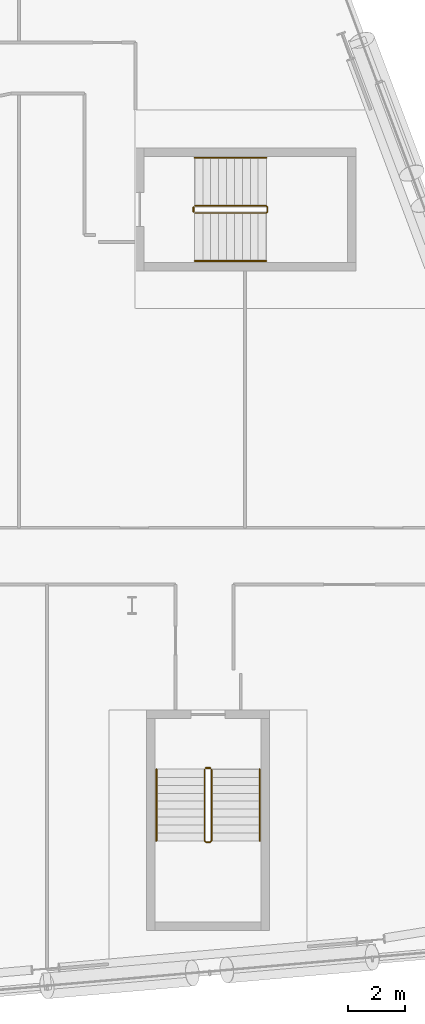
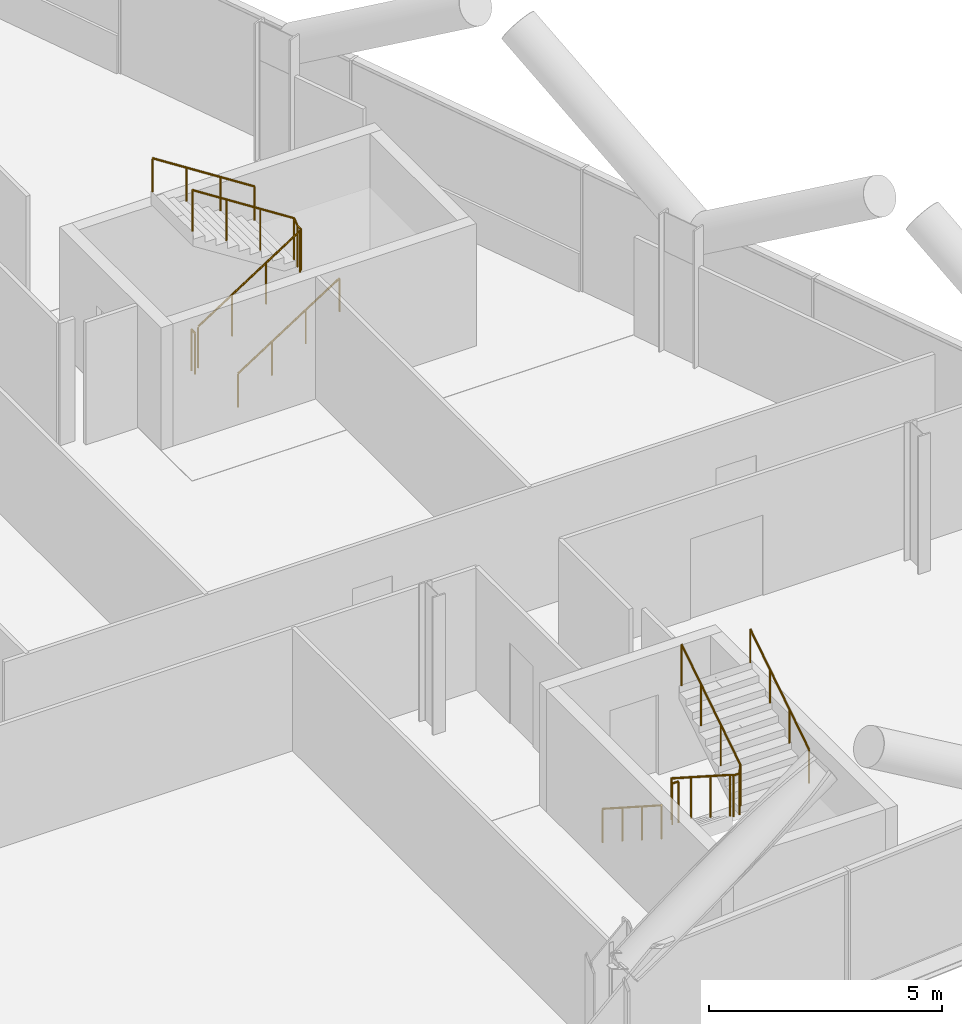
# One storey, part 27 of 27: 8 railings.
"""IFC4 building model written with IfcOpenShell, lengths in metres."""

import ifcopenshell
import ifcopenshell.guid

model = None  # the IFC model being written
_history = None  # IfcOwnerHistory: only IFC2X3 demands one
_inside = {}  # id of a spatial element -> (the spatial element, [elements in it])
_under = {}  # id of a project, library or spatial element -> (it, [spatial elements below it])
_declared = {}  # id of a project -> (the project, [libraries it declares])
_typed = {}  # id of a type object -> (the type object, [elements of that type])
_made_of = {}  # id of a material, layer set ... -> (it, [elements and type objects made of it])


def new_model(schema):
    """Start an empty IFC model of exactly this schema.

    Asked for "IFC4X3", IfcOpenShell would pick the latest addendum, in which some entities
    have other attributes; the version numbers below select the first issue.
    IFC2X3 requires an IfcOwnerHistory on every rooted entity: one is made here for all.
    """
    global model, _history
    if schema == "IFC4X3":
        model = ifcopenshell.file(schema_version=(4, 3, 0, 0))
    else:
        model = ifcopenshell.file(schema=schema)
    _inside.clear()
    _under.clear()
    _declared.clear()
    _typed.clear()
    _made_of.clear()
    _history = None
    if model.schema == "IFC2X3":
        org = make("IfcOrganization", Name="unknown")
        user = make(
            "IfcPersonAndOrganization",
            ThePerson=make("IfcPerson", FamilyName="unknown"),
            TheOrganization=org,
        )
        app = make(
            "IfcApplication",
            ApplicationDeveloper=org,
            Version="unknown",
            ApplicationFullName="unknown",
            ApplicationIdentifier="unknown",
        )
        _history = make(
            "IfcOwnerHistory",
            OwningUser=user,
            OwningApplication=app,
            ChangeAction="ADDED",
            CreationDate=0,
        )
    return model


def make(cls, **values):
    """One entity of the class cls with the attributes given. An attribute that is None is left unset."""
    return model.create_entity(
        cls, **{name: value for name, value in values.items() if value is not None}
    )


def rooted(cls, **values):
    """An entity with a GlobalId (a new one), such as an element, a storey or a relation."""
    return make(cls, GlobalId=ifcopenshell.guid.new(), OwnerHistory=_history, **values)


def si_unit(unit_type, name, prefix=None):
    """IfcSIUnit, for example si_unit("LENGTHUNIT", "METRE", prefix="MILLI")."""
    return make("IfcSIUnit", UnitType=unit_type, Prefix=prefix, Name=name)


def assignment(units):
    """IfcUnitAssignment: the units of a project."""
    return None if units is None else make("IfcUnitAssignment", Units=units)


def point(xyz):
    """IfcCartesianPoint."""
    return None if xyz is None else make("IfcCartesianPoint", Coordinates=xyz)


def direction(xyz):
    """IfcDirection."""
    return None if xyz is None else make("IfcDirection", DirectionRatios=xyz)


def frame(location, z_axis=None, x_axis=None):
    """IfcAxis2Placement3D, a coordinate frame: its origin and axes. An axis left out is left unset."""
    return make(
        "IfcAxis2Placement3D",
        Location=point(location),
        Axis=direction(z_axis),
        RefDirection=direction(x_axis),
    )


def frame_2d(location, x_axis=None):
    """IfcAxis2Placement2D, a coordinate frame in the plane: its origin and x axis."""
    return make(
        "IfcAxis2Placement2D", Location=point(location), RefDirection=direction(x_axis)
    )


def origin():
    """The frame at (0, 0, 0) with its axes left unset."""
    return frame((0.0, 0.0, 0.0))


def origin_2d():
    """The frame at (0, 0) in the plane with its x axis left unset."""
    return frame_2d((0.0, 0.0))


def place(relative_to, where):
    """IfcLocalPlacement: puts the frame where relative to a parent placement (None: the world)."""
    return make(
        "IfcLocalPlacement", PlacementRelTo=relative_to, RelativePlacement=where
    )


def context(
    kind, dimensions, precision=None, world=None, true_north=None, identifier=None
):
    """IfcGeometricRepresentationContext, for example the 3D "Model" context."""
    return make(
        "IfcGeometricRepresentationContext",
        ContextIdentifier=identifier,
        ContextType=kind,
        CoordinateSpaceDimension=dimensions,
        Precision=precision,
        WorldCoordinateSystem=world,
        TrueNorth=true_north,
    )


def subcontext(parent, identifier, kind, view, scale=None):
    """IfcGeometricRepresentationSubContext, for example "Body" below "Model"."""
    return make(
        "IfcGeometricRepresentationSubContext",
        ContextIdentifier=identifier,
        ContextType=kind,
        ParentContext=parent,
        TargetScale=scale,
        TargetView=view,
    )


def project(units=None, contexts=None):
    """IfcProject with its units and contexts."""
    return rooted(
        "IfcProject",
        Name="project",
        RepresentationContexts=contexts,
        UnitsInContext=assignment(units),
    )


def spatial(cls, under=None, at=None, **own):
    """A site, building, storey or space (cls), placed at a placement, below another one or the project."""
    s = rooted(cls, ObjectPlacement=at, **own)
    if under is not None:
        _under.setdefault(under.id(), (under, []))[1].append(s)
    return s


def profile(cls, at=None, kind="AREA", **sizes):
    """A parametric profile (cls). Its sizes go by their IFC names, for example OverallWidth=200.0."""
    return make(cls, ProfileType=kind, Position=at, **sizes)


def circle(**sizes):
    """IfcCircleProfileDef."""
    return profile("IfcCircleProfileDef", **sizes)


def extrude(swept, where, along, depth):
    """IfcExtrudedAreaSolid: the profile swept, set in the frame where, extruded along a direction by depth."""
    return make(
        "IfcExtrudedAreaSolid",
        SweptArea=swept,
        Position=where,
        ExtrudedDirection=direction(along),
        Depth=depth,
    )


def shape(context_of_items, identifier, shape_type, items):
    """IfcShapeRepresentation: the items that make up one representation, for example the "Body"."""
    return make(
        "IfcShapeRepresentation",
        ContextOfItems=context_of_items,
        RepresentationIdentifier=identifier,
        RepresentationType=shape_type,
        Items=items,
    )


def material(Name=None, Category=None):
    """IfcMaterial."""
    return make("IfcMaterial", Name=Name, Category=Category)


def made_of(thing, what):
    """Note that an element or type object is made of a material, layer set ...; save() writes the relation."""
    if what is not None:
        _made_of.setdefault(what.id(), (what, []))[1].append(thing)
    return thing


def type_object(cls, material=None, **own):
    """A type object (cls), such as IfcWallType, which elements share."""
    return made_of(rooted(cls, **own), material)


def element(
    cls,
    number,
    at=None,
    inside=None,
    cuts=None,
    type_object=None,
    material=None,
    context=None,
    identifier="Body",
    shape_type=None,
    held_by="IfcProductDefinitionShape",
    body=None,
    shapes=None,
    **own,
):
    """One element of the class cls, such as IfcWall. Its Tag is "e" and its number.

    at: its placement. inside: the storey or other place that contains it. cuts: it is an
    opening in that element (IfcRelVoidsElement). A single representation is given by context,
    identifier, shape_type and body (its items); several are given by shapes. held_by: the class
    of the entity that holds the representations. save() writes the other relations.
    """
    e = rooted(cls, Tag="e%d" % number, ObjectPlacement=at, **own)
    if body is not None:
        shapes = [shape(context, identifier, shape_type, body)]
    if shapes is not None:
        e.Representation = make(held_by, Representations=shapes)
    if inside is not None:
        _inside.setdefault(inside.id(), (inside, []))[1].append(e)
    if cuts is not None:
        rooted(
            "IfcRelVoidsElement", RelatingBuildingElement=cuts, RelatedOpeningElement=e
        )
    if type_object is not None:
        _typed.setdefault(type_object.id(), (type_object, []))[1].append(e)
    return made_of(e, material)


def aggregate(whole, parts):
    """IfcRelAggregates: a whole, such as a stair, and the parts it consists of."""
    return rooted("IfcRelAggregates", RelatingObject=whole, RelatedObjects=parts)


def save(model, path):
    """Write the relations noted so far, then the file.

    IfcRelAggregates (storeys below a building ...), IfcRelContainedInSpatialStructure (elements
    in a storey), IfcRelDefinesByType, IfcRelAssociatesMaterial and IfcRelDeclares: one each for
    every whole, place, type object, material and project.
    """
    for whole, parts in _under.values():
        aggregate(whole, parts)
    for where, things in _inside.values():
        rooted(
            "IfcRelContainedInSpatialStructure",
            RelatedElements=things,
            RelatingStructure=where,
        )
    for kind, things in _typed.values():
        rooted("IfcRelDefinesByType", RelatedObjects=things, RelatingType=kind)
    for what, things in _made_of.values():
        rooted("IfcRelAssociatesMaterial", RelatedObjects=things, RelatingMaterial=what)
    for by, libraries in _declared.values():
        rooted("IfcRelDeclares", RelatingContext=by, RelatedDefinitions=libraries)
    model.write(path)


model = new_model("IFC4")

# Units and contexts
model_context = context("Model", 3, precision=1e-05, world=origin(), true_north=direction((0.0, 1.0)))
body_context = subcontext(model_context, "Body", "Model", "MODEL_VIEW")
ifc_project = project(units=[si_unit("LENGTHUNIT", "METRE"), si_unit("AREAUNIT", "SQUARE_METRE"), si_unit("VOLUMEUNIT", "CUBIC_METRE"), si_unit("PLANEANGLEUNIT", "RADIAN"), si_unit("MASSUNIT", "GRAM", prefix="KILO")], contexts=[model_context])

# Site, building, storey
site_placement = place(None, origin())
site = spatial("IfcSite", under=ifc_project, at=site_placement, CompositionType="ELEMENT")
building_placement = place(site_placement, origin())
building = spatial("IfcBuilding", under=site, at=building_placement, Name="Wharfspan Tower", CompositionType="ELEMENT")
storey_placement = place(building_placement, frame((0.0, 0.0, 45.100098)))
storey = spatial("IfcBuildingStorey", under=building, at=storey_placement, Name="L07", CompositionType="ELEMENT", Elevation=45.100098)

# Railings
ifc_material = material(Name="Steel S355J2", Category="steel")
railing_type_1 = type_object("IfcRailingType", Name="Stair guard 1100", PredefinedType="GUARDRAIL", material=ifc_material)
railing_1_placement = place(storey_placement, frame((74.567383, 5.691895, 0.179932)))
element("IfcRailing", 1, at=railing_1_placement, inside=storey, type_object=railing_type_1, Name="L07 ST5 stair guard 1", PredefinedType="GUARDRAIL", context=body_context, shape_type="SweptSolid", body=[
    extrude(circle(Radius=0.023926, at=origin_2d()), frame((0.0, 0.0, 1.076172), z_axis=(0.0, -0.841176, 0.540762), x_axis=(1.0, 0.0, 0.0)), (0.0, 0.0, 1.0), 2.995605),
    extrude(circle(Radius=0.023926, at=origin_2d()), frame((0.0, -2.519775, 2.695801), z_axis=(0.707107, -0.707107, 0.0), x_axis=(0.707107, 0.707107, 0.0)), (0.0, 0.0, 1.0), 0.070801),
    extrude(circle(Radius=0.023926, at=origin_2d()), frame((0.050049, -2.569824, 2.695801), z_axis=(1.0, 0.0, 0.0), x_axis=(0.0, 1.0, 0.0)), (0.0, 0.0, 1.0), 0.150146),
    extrude(circle(Radius=0.023926, at=origin_2d()), frame((0.200195, -2.569824, 2.695801), z_axis=(0.257366, 0.258628, 0.931061), x_axis=(-0.708838, 0.705372, 2e-06)), (0.0, 0.0, 1.0), 0.193604),
    extrude(circle(Radius=0.023926, at=origin_2d()), frame((0.25, -2.519775, 2.875977), z_axis=(0.0, 0.841176, 0.540762), x_axis=(-1.0, 0.0, 0.0)), (0.0, 0.0, 1.0), 2.995605),
    extrude(circle(Radius=0.020996, at=origin_2d()), origin(), (0.0, 0.0, 1.0), 1.052002),
    extrude(circle(Radius=0.020996, at=origin_2d()), frame((0.0, -0.839844, 0.540039)), (0.0, 0.0, 1.0), 1.052002),
    extrude(circle(Radius=0.020996, at=origin_2d()), frame((0.0, -1.679932, 1.079834)), (0.0, 0.0, 1.0), 1.052002),
    extrude(circle(Radius=0.020996, at=origin_2d()), frame((0.0, -2.519775, 1.619873)), (0.0, 0.0, 1.0), 1.052002),
    extrude(circle(Radius=0.020996, at=origin_2d()), frame((0.050049, -2.569824, 1.619873)), (0.0, 0.0, 1.0), 1.052002),
    extrude(circle(Radius=0.020996, at=origin_2d()), frame((0.200195, -2.569824, 1.619873)), (0.0, 0.0, 1.0), 1.052002),
    extrude(circle(Radius=0.020996, at=origin_2d()), frame((0.25, -2.519775, 1.800049)), (0.0, 0.0, 1.0), 1.052002),
    extrude(circle(Radius=0.020996, at=origin_2d()), frame((0.25, -1.679932, 2.340088)), (0.0, 0.0, 1.0), 1.052002),
    extrude(circle(Radius=0.020996, at=origin_2d()), frame((0.25, -0.839844, 2.879883)), (0.0, 0.0, 1.0), 1.052002),
    extrude(circle(Radius=0.020996, at=origin_2d()), frame((0.25, 0.0, 3.419922)), (0.0, 0.0, 1.0), 1.052002),
])
railing_2_placement = place(storey_placement, frame((74.617432, 5.741943, 0.0)))
element("IfcRailing", 2, at=railing_2_placement, inside=storey, type_object=railing_type_1, Name="L07 ST5 stair guard 2", PredefinedType="GUARDRAIL", context=body_context, shape_type="SweptSolid", body=[
    extrude(circle(Radius=0.023926, at=origin_2d()), frame((0.0, 0.0, 1.076172), z_axis=(1.0, 0.0, 0.0), x_axis=(0.0, 1.0, 0.0)), (0.0, 0.0, 1.0), 0.150146),
    extrude(circle(Radius=0.020996, at=origin_2d()), origin(), (0.0, 0.0, 1.0), 1.052002),
    extrude(circle(Radius=0.020996, at=origin_2d()), frame((0.150146, 0.0, 0.0)), (0.0, 0.0, 1.0), 1.052002),
])
railing_3_placement = place(storey_placement, frame((74.225098, 25.375, 0.179932)))
element("IfcRailing", 3, at=railing_3_placement, inside=storey, type_object=railing_type_1, Name="L07 ST6 stair guard 1", PredefinedType="GUARDRAIL", context=body_context, shape_type="SweptSolid", body=[
    extrude(circle(Radius=0.023926, at=origin_2d()), frame((0.0, 0.0, 1.076172), z_axis=(0.8412, 0.0, 0.540725), x_axis=(0.0, 1.0, 0.0)), (0.0, 0.0, 1.0), 2.99585),
    extrude(circle(Radius=0.023926, at=origin_2d()), frame((2.52002, 0.0, 2.695801), z_axis=(0.705376, 0.708834, 0.0), x_axis=(-0.708834, 0.705376, 0.0)), (0.0, 0.0, 1.0), 0.070557),
    extrude(circle(Radius=0.023926, at=origin_2d()), frame((2.569824, 0.050049, 2.695801), z_axis=(0.0, 1.0, 0.0), x_axis=(-1.0, 0.0, 0.0)), (0.0, 0.0, 1.0), 0.149902),
    extrude(circle(Radius=0.023926, at=origin_2d()), frame((2.569824, 0.199951, 2.695801), z_axis=(-0.257366, 0.258628, 0.931061), x_axis=(-0.708838, -0.705372, -2e-06)), (0.0, 0.0, 1.0), 0.193604),
    extrude(circle(Radius=0.023926, at=origin_2d()), frame((2.52002, 0.25, 2.875977), z_axis=(-0.8412, 0.0, 0.540725), x_axis=(0.0, -1.0, 0.0)), (0.0, 0.0, 1.0), 2.99585),
    extrude(circle(Radius=0.020996, at=origin_2d()), origin(), (0.0, 0.0, 1.0), 1.052002),
    extrude(circle(Radius=0.020996, at=origin_2d()), frame((0.840088, 0.0, 0.540039)), (0.0, 0.0, 1.0), 1.052002),
    extrude(circle(Radius=0.020996, at=origin_2d()), frame((1.679932, 0.0, 1.079834)), (0.0, 0.0, 1.0), 1.052002),
    extrude(circle(Radius=0.020996, at=origin_2d()), frame((2.52002, 0.0, 1.619873)), (0.0, 0.0, 1.0), 1.052002),
    extrude(circle(Radius=0.020996, at=origin_2d()), frame((2.569824, 0.050049, 1.619873)), (0.0, 0.0, 1.0), 1.052002),
    extrude(circle(Radius=0.020996, at=origin_2d()), frame((2.569824, 0.199951, 1.619873)), (0.0, 0.0, 1.0), 1.052002),
    extrude(circle(Radius=0.020996, at=origin_2d()), frame((2.52002, 0.25, 1.800049)), (0.0, 0.0, 1.0), 1.052002),
    extrude(circle(Radius=0.020996, at=origin_2d()), frame((1.679932, 0.25, 2.340088)), (0.0, 0.0, 1.0), 1.052002),
    extrude(circle(Radius=0.020996, at=origin_2d()), frame((0.840088, 0.25, 2.879883)), (0.0, 0.0, 1.0), 1.052002),
    extrude(circle(Radius=0.020996, at=origin_2d()), frame((0.0, 0.25, 3.419922)), (0.0, 0.0, 1.0), 1.052002),
])
railing_4_placement = place(storey_placement, frame((74.175049, 25.425049, 0.0)))
element("IfcRailing", 4, at=railing_4_placement, inside=storey, type_object=railing_type_1, Name="L07 ST6 stair guard 2", PredefinedType="GUARDRAIL", context=body_context, shape_type="SweptSolid", body=[
    extrude(circle(Radius=0.023926, at=origin_2d()), frame((0.0, 0.0, 1.076172), z_axis=(0.0, 1.0, 0.0), x_axis=(-1.0, 0.0, 0.0)), (0.0, 0.0, 1.0), 0.149902),
    extrude(circle(Radius=0.020996, at=origin_2d()), origin(), (0.0, 0.0, 1.0), 1.052002),
    extrude(circle(Radius=0.020996, at=origin_2d()), frame((0.0, 0.149902, 0.0)), (0.0, 0.0, 1.0), 1.052002),
])
railing_type_2 = type_object("IfcRailingType", Name="Stair handrail 900", PredefinedType="HANDRAIL", material=ifc_material)
railing_5_placement = place(storey_placement, frame((72.867432, 5.691895, 0.179932)))
element("IfcRailing", 5, at=railing_5_placement, inside=storey, type_object=railing_type_2, Name="L07 ST5 stair handrail 1", PredefinedType="HANDRAIL", context=body_context, shape_type="SweptSolid", body=[
    extrude(circle(Radius=0.023926, at=origin_2d()), frame((0.0, 0.0, 0.875977), z_axis=(0.0, -0.841176, 0.540762), x_axis=(1.0, 0.0, 0.0)), (0.0, 0.0, 1.0), 2.995605),
    extrude(circle(Radius=0.020996, at=origin_2d()), origin(), (0.0, 0.0, 1.0), 0.851807),
    extrude(circle(Radius=0.020996, at=origin_2d()), frame((0.0, -0.839844, 0.540039)), (0.0, 0.0, 1.0), 0.851807),
    extrude(circle(Radius=0.020996, at=origin_2d()), frame((0.0, -1.679932, 1.079834)), (0.0, 0.0, 1.0), 0.851807),
    extrude(circle(Radius=0.020996, at=origin_2d()), frame((0.0, -2.519775, 1.619873)), (0.0, 0.0, 1.0), 0.851807),
])
railing_6_placement = place(storey_placement, frame((76.517578, 3.172119, 1.97998)))
element("IfcRailing", 6, at=railing_6_placement, inside=storey, type_object=railing_type_2, Name="L07 ST5 stair handrail 2", PredefinedType="HANDRAIL", context=body_context, shape_type="SweptSolid", body=[
    extrude(circle(Radius=0.023926, at=origin_2d()), frame((0.0, 0.0, 0.875977), z_axis=(0.0, 0.841176, 0.540762), x_axis=(-1.0, 0.0, 0.0)), (0.0, 0.0, 1.0), 2.995605),
    extrude(circle(Radius=0.020996, at=origin_2d()), origin(), (0.0, 0.0, 1.0), 0.851807),
    extrude(circle(Radius=0.020996, at=origin_2d()), frame((0.0, 0.839844, 0.540039)), (0.0, 0.0, 1.0), 0.851807),
    extrude(circle(Radius=0.020996, at=origin_2d()), frame((0.0, 1.679932, 1.079834)), (0.0, 0.0, 1.0), 0.851807),
    extrude(circle(Radius=0.020996, at=origin_2d()), frame((0.0, 2.519775, 1.619873)), (0.0, 0.0, 1.0), 0.851807),
])
railing_7_placement = place(storey_placement, frame((74.225098, 23.675049, 0.179932)))
element("IfcRailing", 7, at=railing_7_placement, inside=storey, type_object=railing_type_2, Name="L07 ST6 stair handrail 1", PredefinedType="HANDRAIL", context=body_context, shape_type="SweptSolid", body=[
    extrude(circle(Radius=0.023926, at=origin_2d()), frame((0.0, 0.0, 0.875977), z_axis=(0.8412, 0.0, 0.540725), x_axis=(0.0, 1.0, 0.0)), (0.0, 0.0, 1.0), 2.99585),
    extrude(circle(Radius=0.020996, at=origin_2d()), origin(), (0.0, 0.0, 1.0), 0.851807),
    extrude(circle(Radius=0.020996, at=origin_2d()), frame((0.840088, 0.0, 0.540039)), (0.0, 0.0, 1.0), 0.851807),
    extrude(circle(Radius=0.020996, at=origin_2d()), frame((1.679932, 0.0, 1.079834)), (0.0, 0.0, 1.0), 0.851807),
    extrude(circle(Radius=0.020996, at=origin_2d()), frame((2.52002, 0.0, 1.619873)), (0.0, 0.0, 1.0), 0.851807),
])
railing_8_placement = place(storey_placement, frame((76.745117, 27.324951, 1.97998)))
element("IfcRailing", 8, at=railing_8_placement, inside=storey, type_object=railing_type_2, Name="L07 ST6 stair handrail 2", PredefinedType="HANDRAIL", context=body_context, shape_type="SweptSolid", body=[
    extrude(circle(Radius=0.023926, at=origin_2d()), frame((0.0, 0.0, 0.875977), z_axis=(-0.8412, 0.0, 0.540725), x_axis=(0.0, -1.0, 0.0)), (0.0, 0.0, 1.0), 2.99585),
    extrude(circle(Radius=0.020996, at=origin_2d()), origin(), (0.0, 0.0, 1.0), 0.851807),
    extrude(circle(Radius=0.020996, at=origin_2d()), frame((-0.840088, 0.0, 0.540039)), (0.0, 0.0, 1.0), 0.851807),
    extrude(circle(Radius=0.020996, at=origin_2d()), frame((-1.679932, 0.0, 1.079834)), (0.0, 0.0, 1.0), 0.851807),
    extrude(circle(Radius=0.020996, at=origin_2d()), frame((-2.52002, 0.0, 1.619873)), (0.0, 0.0, 1.0), 0.851807),
])

save(model, "model.ifc")
